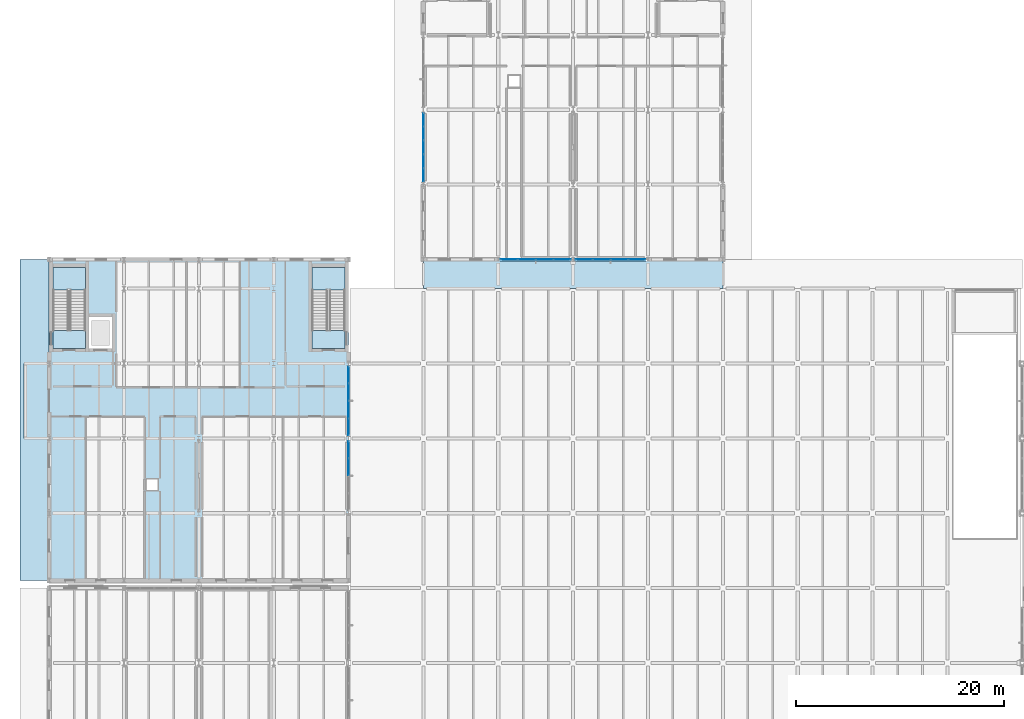
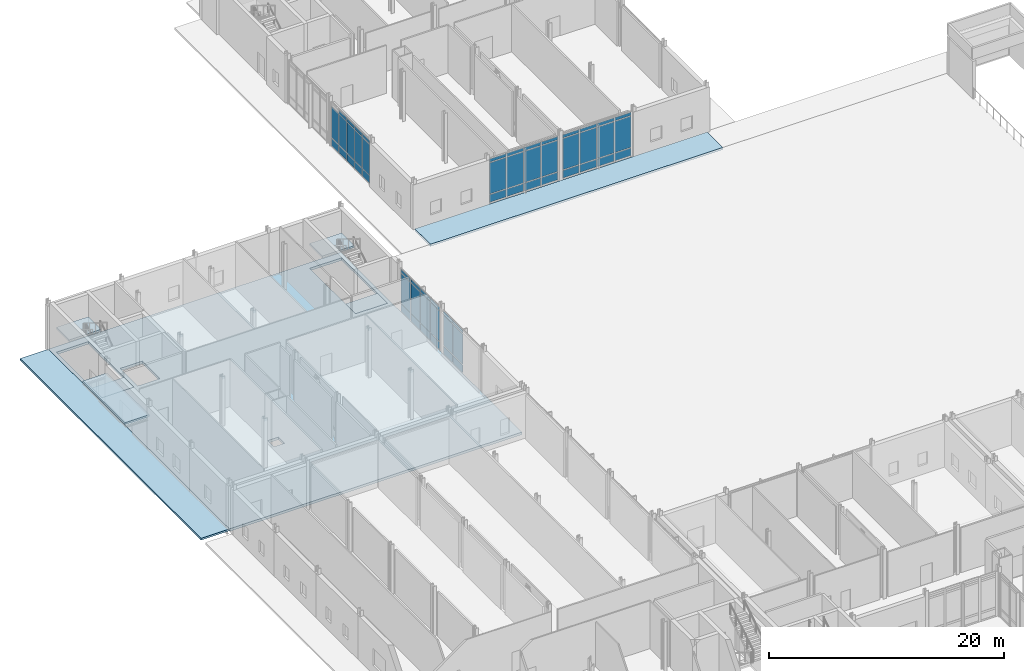
# One storey, part 45 of 89: 56 plates, 8 slabs, 7 elements without a shape of their own.
"""IFC4 building model written with IfcOpenShell, lengths in metres."""

from ifc_helpers import new_model, si_unit, direction, frame, origin, origin_2d, place, context, subcontext, project, spatial, polyline, rectangle, outline, extrude, material, layer, layer_set, type_object, element, aggregate, save


model = new_model("IFC4")

# Units and contexts
model_context = context("Model", 3, precision=1e-05, world=origin(), true_north=direction((0.0, 1.0)))
body_context = subcontext(model_context, "Body", "Model", "MODEL_VIEW")
ifc_project = project(units=[si_unit("LENGTHUNIT", "METRE"), si_unit("AREAUNIT", "SQUARE_METRE"), si_unit("VOLUMEUNIT", "CUBIC_METRE"), si_unit("PLANEANGLEUNIT", "RADIAN"), si_unit("MASSUNIT", "GRAM", prefix="KILO")], contexts=[model_context])

# Site, building, storey
site_placement = place(None, origin())
site = spatial("IfcSite", under=ifc_project, at=site_placement, CompositionType="ELEMENT")
building_placement = place(site_placement, origin())
building = spatial("IfcBuilding", under=site, at=building_placement, Name="Zarrinpeak Specialist Clinic", CompositionType="ELEMENT")
storey_placement = place(building_placement, origin())
storey = spatial("IfcBuildingStorey", under=building, at=storey_placement, Name="L00", CompositionType="ELEMENT", Elevation=0.0)

# Slab
ifc_material_1 = material(Name="Steel S355", Category="steel")
ifc_layer_1 = layer(ifc_material_1, 0.199951171875)
ifc_layer_set_1 = layer_set([ifc_layer_1], Name="Steel S355")
slab_type_1 = type_object("IfcSlabType", Name="CAN-ENT", PredefinedType="ROOF", material=ifc_layer_set_1)
slab_1_placement = place(storey_placement, frame((0.0, 0.0, 3.39990234375)))
element("IfcSlab", 1, at=slab_1_placement, inside=storey, type_object=slab_type_1, Name="V5 Ambulance Drop-Off Entrance Canopy", PredefinedType="ROOF", context=body_context, shape_type="SweptSolid", body=[
    extrude(outline(polyline([(-2.39990234375, 64.800048828125), (0.0, 64.800048828125), (0.0, 72.0), (-2.39990234375, 72.0), (-2.39990234375, 64.800048828125)])), origin(), (0.0, 0.0, 1.0), 0.2001953125),
])

# Curtain wall, plates
ifc_material_2 = material(Name="Anodised Aluminium Alloy 6063-T6", Category="aluminium")
ifc_layer_2 = layer(ifc_material_2, 0.179931640625)
ifc_layer_set_2 = layer_set([ifc_layer_2], Name="Anodised Aluminium Alloy 6063-T6")
curtain_wall_type_1 = type_object("IfcCurtainWallType", Name="CW-COURT", PredefinedType="NOTDEFINED", material=ifc_layer_set_2)
curtain_wall_1_placement = place(storey_placement, origin())
curtain_wall_1 = element("IfcCurtainWall", 2, at=curtain_wall_1_placement, inside=storey, type_object=curtain_wall_type_1, Name="L00 V6 Unitised Curtain Wall CW-L00-V6-129", PredefinedType="NOTDEFINED")
ifc_material_3 = material(Name="Double Low-E Insulated Glazing", Category="glass")
ifc_layer_3 = layer(ifc_material_3, 0.028076171875)
ifc_layer_set_3 = layer_set([ifc_layer_3], Name="Double Low-E Insulated Glazing")
plate_type_1 = type_object("IfcPlateType", Name="CWP-GLZ28", PredefinedType="CURTAIN_PANEL", material=ifc_layer_set_3)
plate_1_placement = place(storey_placement, frame((44.25, 82.0, 0.074951171875), z_axis=(0.0, 0.0, 1.0), x_axis=(1.0, 0.0, 0.0)))
plate_1 = element("IfcPlate", 3, at=plate_1_placement, type_object=plate_type_1, Name="CW-01 panel 1.1", PredefinedType="CURTAIN_PANEL", context=body_context, shape_type="SweptSolid", body=[
    extrude(rectangle(XDim=1.60009765625, YDim=0.028076171875, at=origin_2d()), origin(), (0.0, 0.0, 1.0), 0.78759765625),
])
plate_2_placement = place(storey_placement, frame((44.25, 82.0, 0.9375), z_axis=(0.0, 0.0, 1.0), x_axis=(1.0, 0.0, 0.0)))
plate_2 = element("IfcPlate", 4, at=plate_2_placement, type_object=plate_type_1, Name="CW-01 panel 1.2", PredefinedType="CURTAIN_PANEL", context=body_context, shape_type="SweptSolid", body=[
    extrude(rectangle(XDim=1.60009765625, YDim=0.028076171875, at=origin_2d()), origin(), (0.0, 0.0, 1.0), 3.239990234375),
])
plate_3_placement = place(storey_placement, frame((44.25, 82.0, 4.25244140625), z_axis=(0.0, 0.0, 1.0), x_axis=(1.0, 0.0, 0.0)))
plate_3 = element("IfcPlate", 5, at=plate_3_placement, type_object=plate_type_1, Name="CW-01 panel 1.3", PredefinedType="CURTAIN_PANEL", context=body_context, shape_type="SweptSolid", body=[
    extrude(rectangle(XDim=1.60009765625, YDim=0.028076171875, at=origin_2d()), origin(), (0.0, 0.0, 1.0), 0.33740234375),
])
plate_4_placement = place(storey_placement, frame((45.94384765625, 82.0, 0.074951171875), z_axis=(0.0, 0.0, 1.0), x_axis=(1.0, 0.0, 0.0)))
plate_4 = element("IfcPlate", 6, at=plate_4_placement, type_object=plate_type_1, Name="CW-01 panel 2.1", PredefinedType="CURTAIN_PANEL", context=body_context, shape_type="SweptSolid", body=[
    extrude(rectangle(XDim=1.637451171875, YDim=0.028076171875, at=origin_2d()), origin(), (0.0, 0.0, 1.0), 0.78759765625),
])
plate_5_placement = place(storey_placement, frame((45.94384765625, 82.0, 0.9375), z_axis=(0.0, 0.0, 1.0), x_axis=(1.0, 0.0, 0.0)))
plate_5 = element("IfcPlate", 7, at=plate_5_placement, type_object=plate_type_1, Name="CW-01 panel 2.2", PredefinedType="CURTAIN_PANEL", context=body_context, shape_type="SweptSolid", body=[
    extrude(rectangle(XDim=1.637451171875, YDim=0.028076171875, at=origin_2d()), origin(), (0.0, 0.0, 1.0), 3.239990234375),
])
plate_6_placement = place(storey_placement, frame((45.94384765625, 82.0, 4.25244140625), z_axis=(0.0, 0.0, 1.0), x_axis=(1.0, 0.0, 0.0)))
plate_6 = element("IfcPlate", 8, at=plate_6_placement, type_object=plate_type_1, Name="CW-01 panel 2.3", PredefinedType="CURTAIN_PANEL", context=body_context, shape_type="SweptSolid", body=[
    extrude(rectangle(XDim=1.637451171875, YDim=0.028076171875, at=origin_2d()), origin(), (0.0, 0.0, 1.0), 0.33740234375),
])
plate_7_placement = place(storey_placement, frame((47.65625, 82.0, 0.074951171875), z_axis=(0.0, 0.0, 1.0), x_axis=(1.0, 0.0, 0.0)))
plate_7 = element("IfcPlate", 9, at=plate_7_placement, type_object=plate_type_1, Name="CW-01 panel 3.1", PredefinedType="CURTAIN_PANEL", context=body_context, shape_type="SweptSolid", body=[
    extrude(rectangle(XDim=1.637451171875, YDim=0.028076171875, at=origin_2d()), origin(), (0.0, 0.0, 1.0), 0.78759765625),
])
plate_8_placement = place(storey_placement, frame((47.65625, 82.0, 0.9375), z_axis=(0.0, 0.0, 1.0), x_axis=(1.0, 0.0, 0.0)))
plate_8 = element("IfcPlate", 10, at=plate_8_placement, type_object=plate_type_1, Name="CW-01 panel 3.2", PredefinedType="CURTAIN_PANEL", context=body_context, shape_type="SweptSolid", body=[
    extrude(rectangle(XDim=1.637451171875, YDim=0.028076171875, at=origin_2d()), origin(), (0.0, 0.0, 1.0), 3.239990234375),
])
plate_9_placement = place(storey_placement, frame((47.65625, 82.0, 4.25244140625), z_axis=(0.0, 0.0, 1.0), x_axis=(1.0, 0.0, 0.0)))
plate_9 = element("IfcPlate", 11, at=plate_9_placement, type_object=plate_type_1, Name="CW-01 panel 3.3", PredefinedType="CURTAIN_PANEL", context=body_context, shape_type="SweptSolid", body=[
    extrude(rectangle(XDim=1.637451171875, YDim=0.028076171875, at=origin_2d()), origin(), (0.0, 0.0, 1.0), 0.33740234375),
])
plate_10_placement = place(storey_placement, frame((49.35009765625, 82.0, 0.074951171875), z_axis=(0.0, 0.0, 1.0), x_axis=(1.0, 0.0, 0.0)))
plate_10 = element("IfcPlate", 12, at=plate_10_placement, type_object=plate_type_1, Name="CW-01 panel 4.1", PredefinedType="CURTAIN_PANEL", context=body_context, shape_type="SweptSolid", body=[
    extrude(rectangle(XDim=1.60009765625, YDim=0.028076171875, at=origin_2d()), origin(), (0.0, 0.0, 1.0), 0.78759765625),
])
plate_11_placement = place(storey_placement, frame((49.35009765625, 82.0, 0.9375), z_axis=(0.0, 0.0, 1.0), x_axis=(1.0, 0.0, 0.0)))
plate_11 = element("IfcPlate", 13, at=plate_11_placement, type_object=plate_type_1, Name="CW-01 panel 4.2", PredefinedType="CURTAIN_PANEL", context=body_context, shape_type="SweptSolid", body=[
    extrude(rectangle(XDim=1.60009765625, YDim=0.028076171875, at=origin_2d()), origin(), (0.0, 0.0, 1.0), 3.239990234375),
])
plate_12_placement = place(storey_placement, frame((49.35009765625, 82.0, 4.25244140625), z_axis=(0.0, 0.0, 1.0), x_axis=(1.0, 0.0, 0.0)))
plate_12 = element("IfcPlate", 14, at=plate_12_placement, type_object=plate_type_1, Name="CW-01 panel 4.3", PredefinedType="CURTAIN_PANEL", context=body_context, shape_type="SweptSolid", body=[
    extrude(rectangle(XDim=1.60009765625, YDim=0.028076171875, at=origin_2d()), origin(), (0.0, 0.0, 1.0), 0.33740234375),
])
aggregate(curtain_wall_1, [plate_1, plate_2, plate_3, plate_4, plate_5, plate_6, plate_7, plate_8, plate_9, plate_10, plate_11, plate_12])

curtain_wall_2_placement = place(storey_placement, origin())
curtain_wall_2 = element("IfcCurtainWall", 15, at=curtain_wall_2_placement, inside=storey, type_object=curtain_wall_type_1, Name="L00 V6 Unitised Curtain Wall CW-L00-V6-130", PredefinedType="NOTDEFINED")
plate_13_placement = place(storey_placement, frame((51.449951171875, 82.0, 0.074951171875), z_axis=(0.0, 0.0, 1.0), x_axis=(1.0, 0.0, 0.0)))
plate_13 = element("IfcPlate", 16, at=plate_13_placement, type_object=plate_type_1, Name="CW-01 panel 1.1", PredefinedType="CURTAIN_PANEL", context=body_context, shape_type="SweptSolid", body=[
    extrude(rectangle(XDim=1.60009765625, YDim=0.028076171875, at=origin_2d()), origin(), (0.0, 0.0, 1.0), 0.78759765625),
])
plate_14_placement = place(storey_placement, frame((51.449951171875, 82.0, 0.9375), z_axis=(0.0, 0.0, 1.0), x_axis=(1.0, 0.0, 0.0)))
plate_14 = element("IfcPlate", 17, at=plate_14_placement, type_object=plate_type_1, Name="CW-01 panel 1.2", PredefinedType="CURTAIN_PANEL", context=body_context, shape_type="SweptSolid", body=[
    extrude(rectangle(XDim=1.60009765625, YDim=0.028076171875, at=origin_2d()), origin(), (0.0, 0.0, 1.0), 3.239990234375),
])
plate_15_placement = place(storey_placement, frame((51.449951171875, 82.0, 4.25244140625), z_axis=(0.0, 0.0, 1.0), x_axis=(1.0, 0.0, 0.0)))
plate_15 = element("IfcPlate", 18, at=plate_15_placement, type_object=plate_type_1, Name="CW-01 panel 1.3", PredefinedType="CURTAIN_PANEL", context=body_context, shape_type="SweptSolid", body=[
    extrude(rectangle(XDim=1.60009765625, YDim=0.028076171875, at=origin_2d()), origin(), (0.0, 0.0, 1.0), 0.33740234375),
])
plate_16_placement = place(storey_placement, frame((53.143798828125, 82.0, 0.074951171875), z_axis=(0.0, 0.0, 1.0), x_axis=(1.0, 0.0, 0.0)))
plate_16 = element("IfcPlate", 19, at=plate_16_placement, type_object=plate_type_1, Name="CW-01 panel 2.1", PredefinedType="CURTAIN_PANEL", context=body_context, shape_type="SweptSolid", body=[
    extrude(rectangle(XDim=1.637451171875, YDim=0.028076171875, at=origin_2d()), origin(), (0.0, 0.0, 1.0), 0.78759765625),
])
plate_17_placement = place(storey_placement, frame((53.143798828125, 82.0, 0.9375), z_axis=(0.0, 0.0, 1.0), x_axis=(1.0, 0.0, 0.0)))
plate_17 = element("IfcPlate", 20, at=plate_17_placement, type_object=plate_type_1, Name="CW-01 panel 2.2", PredefinedType="CURTAIN_PANEL", context=body_context, shape_type="SweptSolid", body=[
    extrude(rectangle(XDim=1.637451171875, YDim=0.028076171875, at=origin_2d()), origin(), (0.0, 0.0, 1.0), 3.239990234375),
])
plate_18_placement = place(storey_placement, frame((53.143798828125, 82.0, 4.25244140625), z_axis=(0.0, 0.0, 1.0), x_axis=(1.0, 0.0, 0.0)))
plate_18 = element("IfcPlate", 21, at=plate_18_placement, type_object=plate_type_1, Name="CW-01 panel 2.3", PredefinedType="CURTAIN_PANEL", context=body_context, shape_type="SweptSolid", body=[
    extrude(rectangle(XDim=1.637451171875, YDim=0.028076171875, at=origin_2d()), origin(), (0.0, 0.0, 1.0), 0.33740234375),
])
plate_19_placement = place(storey_placement, frame((54.856201171875, 82.0, 0.074951171875), z_axis=(0.0, 0.0, 1.0), x_axis=(1.0, 0.0, 0.0)))
plate_19 = element("IfcPlate", 22, at=plate_19_placement, type_object=plate_type_1, Name="CW-01 panel 3.1", PredefinedType="CURTAIN_PANEL", context=body_context, shape_type="SweptSolid", body=[
    extrude(rectangle(XDim=1.637451171875, YDim=0.028076171875, at=origin_2d()), origin(), (0.0, 0.0, 1.0), 0.78759765625),
])
plate_20_placement = place(storey_placement, frame((54.856201171875, 82.0, 0.9375), z_axis=(0.0, 0.0, 1.0), x_axis=(1.0, 0.0, 0.0)))
plate_20 = element("IfcPlate", 23, at=plate_20_placement, type_object=plate_type_1, Name="CW-01 panel 3.2", PredefinedType="CURTAIN_PANEL", context=body_context, shape_type="SweptSolid", body=[
    extrude(rectangle(XDim=1.637451171875, YDim=0.028076171875, at=origin_2d()), origin(), (0.0, 0.0, 1.0), 3.239990234375),
])
plate_21_placement = place(storey_placement, frame((54.856201171875, 82.0, 4.25244140625), z_axis=(0.0, 0.0, 1.0), x_axis=(1.0, 0.0, 0.0)))
plate_21 = element("IfcPlate", 24, at=plate_21_placement, type_object=plate_type_1, Name="CW-01 panel 3.3", PredefinedType="CURTAIN_PANEL", context=body_context, shape_type="SweptSolid", body=[
    extrude(rectangle(XDim=1.637451171875, YDim=0.028076171875, at=origin_2d()), origin(), (0.0, 0.0, 1.0), 0.33740234375),
])
plate_22_placement = place(storey_placement, frame((56.550048828125, 82.0, 0.074951171875), z_axis=(0.0, 0.0, 1.0), x_axis=(1.0, 0.0, 0.0)))
plate_22 = element("IfcPlate", 25, at=plate_22_placement, type_object=plate_type_1, Name="CW-01 panel 4.1", PredefinedType="CURTAIN_PANEL", context=body_context, shape_type="SweptSolid", body=[
    extrude(rectangle(XDim=1.60009765625, YDim=0.028076171875, at=origin_2d()), origin(), (0.0, 0.0, 1.0), 0.78759765625),
])
plate_23_placement = place(storey_placement, frame((56.550048828125, 82.0, 0.9375), z_axis=(0.0, 0.0, 1.0), x_axis=(1.0, 0.0, 0.0)))
plate_23 = element("IfcPlate", 26, at=plate_23_placement, type_object=plate_type_1, Name="CW-01 panel 4.2", PredefinedType="CURTAIN_PANEL", context=body_context, shape_type="SweptSolid", body=[
    extrude(rectangle(XDim=1.60009765625, YDim=0.028076171875, at=origin_2d()), origin(), (0.0, 0.0, 1.0), 3.239990234375),
])
plate_24_placement = place(storey_placement, frame((56.550048828125, 82.0, 4.25244140625), z_axis=(0.0, 0.0, 1.0), x_axis=(1.0, 0.0, 0.0)))
plate_24 = element("IfcPlate", 27, at=plate_24_placement, type_object=plate_type_1, Name="CW-01 panel 4.3", PredefinedType="CURTAIN_PANEL", context=body_context, shape_type="SweptSolid", body=[
    extrude(rectangle(XDim=1.60009765625, YDim=0.028076171875, at=origin_2d()), origin(), (0.0, 0.0, 1.0), 0.33740234375),
])
aggregate(curtain_wall_2, [plate_13, plate_14, plate_15, plate_16, plate_17, plate_18, plate_19, plate_20, plate_21, plate_22, plate_23, plate_24])

ifc_layer_4 = layer(ifc_material_2, 0.1650390625)
ifc_layer_set_4 = layer_set([ifc_layer_4], Name="Anodised Aluminium Alloy 6063-T6")
curtain_wall_type_2 = type_object("IfcCurtainWallType", Name="CW-CLINIC", PredefinedType="NOTDEFINED", material=ifc_layer_set_4)
curtain_wall_3_placement = place(storey_placement, origin())
curtain_wall_3 = element("IfcCurtainWall", 28, at=curtain_wall_3_placement, inside=storey, type_object=curtain_wall_type_2, Name="L00 V6 Unitised Curtain Wall CW-L00-V6-131", PredefinedType="NOTDEFINED")
plate_25_placement = place(storey_placement, frame((36.0, 95.438720703125, 0.074951171875), z_axis=(0.0, 0.0, 1.0), x_axis=(0.0, -1.0, 0.0)))
plate_25 = element("IfcPlate", 29, at=plate_25_placement, type_object=plate_type_1, Name="CW-03 panel 1.1", PredefinedType="CURTAIN_PANEL", context=body_context, shape_type="SweptSolid", body=[
    extrude(rectangle(XDim=1.222412109375, YDim=0.028076171875, at=origin_2d()), origin(), (0.0, 0.0, 1.0), 0.78759765625),
])
plate_26_placement = place(storey_placement, frame((36.0, 95.438720703125, 0.9375), z_axis=(0.0, 0.0, 1.0), x_axis=(0.0, -1.0, 0.0)))
plate_26 = element("IfcPlate", 30, at=plate_26_placement, type_object=plate_type_1, Name="CW-03 panel 1.2", PredefinedType="CURTAIN_PANEL", context=body_context, shape_type="SweptSolid", body=[
    extrude(rectangle(XDim=1.222412109375, YDim=0.028076171875, at=origin_2d()), origin(), (0.0, 0.0, 1.0), 3.169921875),
])
plate_27_placement = place(storey_placement, frame((36.0, 94.12255859375, 0.074951171875), z_axis=(0.0, 0.0, 1.0), x_axis=(0.0, -1.0, 0.0)))
plate_27 = element("IfcPlate", 31, at=plate_27_placement, type_object=plate_type_1, Name="CW-03 panel 2.1", PredefinedType="CURTAIN_PANEL", context=body_context, shape_type="SweptSolid", body=[
    extrude(rectangle(XDim=1.260009765625, YDim=0.028076171875, at=origin_2d()), origin(), (0.0, 0.0, 1.0), 0.78759765625),
])
plate_28_placement = place(storey_placement, frame((36.0, 94.12255859375, 0.9375), z_axis=(0.0, 0.0, 1.0), x_axis=(0.0, -1.0, 0.0)))
plate_28 = element("IfcPlate", 32, at=plate_28_placement, type_object=plate_type_1, Name="CW-03 panel 2.2", PredefinedType="CURTAIN_PANEL", context=body_context, shape_type="SweptSolid", body=[
    extrude(rectangle(XDim=1.260009765625, YDim=0.028076171875, at=origin_2d()), origin(), (0.0, 0.0, 1.0), 3.169921875),
])
plate_29_placement = place(storey_placement, frame((36.0, 94.12255859375, 4.1826171875), z_axis=(0.0, 0.0, 1.0), x_axis=(0.0, -1.0, 0.0)))
plate_29 = element("IfcPlate", 33, at=plate_29_placement, type_object=plate_type_1, Name="CW-03 panel 2.3", PredefinedType="CURTAIN_PANEL", context=body_context, shape_type="SweptSolid", body=[
    extrude(rectangle(XDim=1.260009765625, YDim=0.028076171875, at=origin_2d()), origin(), (0.0, 0.0, 1.0), 0.33740234375),
])
plate_30_placement = place(storey_placement, frame((36.0, 92.78759765625, 0.074951171875), z_axis=(0.0, 0.0, 1.0), x_axis=(0.0, -1.0, 0.0)))
plate_30 = element("IfcPlate", 34, at=plate_30_placement, type_object=plate_type_1, Name="CW-03 panel 3.1", PredefinedType="CURTAIN_PANEL", context=body_context, shape_type="SweptSolid", body=[
    extrude(rectangle(XDim=1.260009765625, YDim=0.028076171875, at=origin_2d()), origin(), (0.0, 0.0, 1.0), 0.78759765625),
])
plate_31_placement = place(storey_placement, frame((36.0, 92.78759765625, 0.9375), z_axis=(0.0, 0.0, 1.0), x_axis=(0.0, -1.0, 0.0)))
plate_31 = element("IfcPlate", 35, at=plate_31_placement, type_object=plate_type_1, Name="CW-03 panel 3.2", PredefinedType="CURTAIN_PANEL", context=body_context, shape_type="SweptSolid", body=[
    extrude(rectangle(XDim=1.260009765625, YDim=0.028076171875, at=origin_2d()), origin(), (0.0, 0.0, 1.0), 3.169921875),
])
plate_32_placement = place(storey_placement, frame((36.0, 92.78759765625, 4.1826171875), z_axis=(0.0, 0.0, 1.0), x_axis=(0.0, -1.0, 0.0)))
plate_32 = element("IfcPlate", 36, at=plate_32_placement, type_object=plate_type_1, Name="CW-03 panel 3.3", PredefinedType="CURTAIN_PANEL", context=body_context, shape_type="SweptSolid", body=[
    extrude(rectangle(XDim=1.260009765625, YDim=0.028076171875, at=origin_2d()), origin(), (0.0, 0.0, 1.0), 0.33740234375),
])
plate_33_placement = place(storey_placement, frame((36.0, 91.452392578125, 0.074951171875), z_axis=(0.0, 0.0, 1.0), x_axis=(0.0, -1.0, 0.0)))
plate_33 = element("IfcPlate", 37, at=plate_33_placement, type_object=plate_type_1, Name="CW-03 panel 4.1", PredefinedType="CURTAIN_PANEL", context=body_context, shape_type="SweptSolid", body=[
    extrude(rectangle(XDim=1.260009765625, YDim=0.028076171875, at=origin_2d()), origin(), (0.0, 0.0, 1.0), 0.78759765625),
])
plate_34_placement = place(storey_placement, frame((36.0, 91.452392578125, 0.9375), z_axis=(0.0, 0.0, 1.0), x_axis=(0.0, -1.0, 0.0)))
plate_34 = element("IfcPlate", 38, at=plate_34_placement, type_object=plate_type_1, Name="CW-03 panel 4.2", PredefinedType="CURTAIN_PANEL", context=body_context, shape_type="SweptSolid", body=[
    extrude(rectangle(XDim=1.260009765625, YDim=0.028076171875, at=origin_2d()), origin(), (0.0, 0.0, 1.0), 3.169921875),
])
plate_35_placement = place(storey_placement, frame((36.0, 91.452392578125, 4.1826171875), z_axis=(0.0, 0.0, 1.0), x_axis=(0.0, -1.0, 0.0)))
plate_35 = element("IfcPlate", 39, at=plate_35_placement, type_object=plate_type_1, Name="CW-03 panel 4.3", PredefinedType="CURTAIN_PANEL", context=body_context, shape_type="SweptSolid", body=[
    extrude(rectangle(XDim=1.260009765625, YDim=0.028076171875, at=origin_2d()), origin(), (0.0, 0.0, 1.0), 0.33740234375),
])
plate_36_placement = place(storey_placement, frame((36.0, 90.13623046875, 0.074951171875), z_axis=(0.0, 0.0, 1.0), x_axis=(0.0, -1.0, 0.0)))
plate_36 = element("IfcPlate", 40, at=plate_36_placement, type_object=plate_type_1, Name="CW-03 panel 5.1", PredefinedType="CURTAIN_PANEL", context=body_context, shape_type="SweptSolid", body=[
    extrude(rectangle(XDim=1.222412109375, YDim=0.028076171875, at=origin_2d()), origin(), (0.0, 0.0, 1.0), 0.78759765625),
])
plate_37_placement = place(storey_placement, frame((36.0, 90.13623046875, 0.9375), z_axis=(0.0, 0.0, 1.0), x_axis=(0.0, -1.0, 0.0)))
plate_37 = element("IfcPlate", 41, at=plate_37_placement, type_object=plate_type_1, Name="CW-03 panel 5.2", PredefinedType="CURTAIN_PANEL", context=body_context, shape_type="SweptSolid", body=[
    extrude(rectangle(XDim=1.222412109375, YDim=0.028076171875, at=origin_2d()), origin(), (0.0, 0.0, 1.0), 3.169921875),
])
plate_38_placement = place(storey_placement, frame((36.0, 90.13623046875, 4.1826171875), z_axis=(0.0, 0.0, 1.0), x_axis=(0.0, -1.0, 0.0)))
plate_38 = element("IfcPlate", 42, at=plate_38_placement, type_object=plate_type_1, Name="CW-03 panel 5.3", PredefinedType="CURTAIN_PANEL", context=body_context, shape_type="SweptSolid", body=[
    extrude(rectangle(XDim=1.222412109375, YDim=0.028076171875, at=origin_2d()), origin(), (0.0, 0.0, 1.0), 0.33740234375),
])
aggregate(curtain_wall_3, [plate_25, plate_26, plate_27, plate_28, plate_29, plate_30, plate_31, plate_32, plate_33, plate_34, plate_35, plate_36, plate_37, plate_38])

curtain_wall_4_placement = place(storey_placement, origin())
curtain_wall_4 = element("IfcCurtainWall", 43, at=curtain_wall_4_placement, inside=storey, type_object=curtain_wall_type_1, Name="L00 V5 Unitised Curtain Wall CW-L00-V5-121", PredefinedType="NOTDEFINED")
ifc_material_4 = material(Name="Triple Acoustic Low-E Glazing", Category="glass")
ifc_layer_5 = layer(ifc_material_4, 0.035888671875)
ifc_layer_set_5 = layer_set([ifc_layer_5], Name="Triple Acoustic Low-E Glazing")
plate_type_2 = type_object("IfcPlateType", Name="CWP-GLZ36", PredefinedType="CURTAIN_PANEL", material=ifc_layer_set_5)
plate_39_placement = place(storey_placement, frame((28.800048828125, 62.043701171875, 0.074951171875), z_axis=(0.0, 0.0, 1.0), x_axis=(0.0, 1.0, 0.0)))
plate_39 = element("IfcPlate", 44, at=plate_39_placement, type_object=plate_type_2, Name="CW-01 panel 3.1", PredefinedType="CURTAIN_PANEL", context=body_context, shape_type="SweptSolid", body=[
    extrude(rectangle(XDim=1.612548828125, YDim=0.035888671875, at=origin_2d()), origin(), (0.0, 0.0, 1.0), 0.78759765625),
])
plate_40_placement = place(storey_placement, frame((28.800048828125, 62.043701171875, 0.9375), z_axis=(0.0, 0.0, 1.0), x_axis=(0.0, 1.0, 0.0)))
plate_40 = element("IfcPlate", 45, at=plate_40_placement, type_object=plate_type_2, Name="CW-01 panel 3.2", PredefinedType="CURTAIN_PANEL", context=body_context, shape_type="SweptSolid", body=[
    extrude(rectangle(XDim=1.612548828125, YDim=0.035888671875, at=origin_2d()), origin(), (0.0, 0.0, 1.0), 3.139892578125),
])
plate_41_placement = place(storey_placement, frame((28.800048828125, 62.043701171875, 4.152587890625), z_axis=(0.0, 0.0, 1.0), x_axis=(0.0, 1.0, 0.0)))
plate_41 = element("IfcPlate", 46, at=plate_41_placement, type_object=plate_type_2, Name="CW-01 panel 3.3", PredefinedType="CURTAIN_PANEL", context=body_context, shape_type="SweptSolid", body=[
    extrude(rectangle(XDim=1.612548828125, YDim=0.035888671875, at=origin_2d()), origin(), (0.0, 0.0, 1.0), 0.33740234375),
])
plate_42_placement = place(storey_placement, frame((28.800048828125, 63.71240234375, 0.074951171875), z_axis=(0.0, 0.0, 1.0), x_axis=(0.0, 1.0, 0.0)))
plate_42 = element("IfcPlate", 47, at=plate_42_placement, type_object=plate_type_2, Name="CW-01 panel 4.1", PredefinedType="CURTAIN_PANEL", context=body_context, shape_type="SweptSolid", body=[
    extrude(rectangle(XDim=1.574951171875, YDim=0.035888671875, at=origin_2d()), origin(), (0.0, 0.0, 1.0), 0.78759765625),
])
plate_43_placement = place(storey_placement, frame((28.800048828125, 63.71240234375, 0.9375), z_axis=(0.0, 0.0, 1.0), x_axis=(0.0, 1.0, 0.0)))
plate_43 = element("IfcPlate", 48, at=plate_43_placement, type_object=plate_type_2, Name="CW-01 panel 4.2", PredefinedType="CURTAIN_PANEL", context=body_context, shape_type="SweptSolid", body=[
    extrude(rectangle(XDim=1.574951171875, YDim=0.035888671875, at=origin_2d()), origin(), (0.0, 0.0, 1.0), 3.139892578125),
])
plate_44_placement = place(storey_placement, frame((28.800048828125, 63.71240234375, 4.152587890625), z_axis=(0.0, 0.0, 1.0), x_axis=(0.0, 1.0, 0.0)))
plate_44 = element("IfcPlate", 49, at=plate_44_placement, type_object=plate_type_2, Name="CW-01 panel 4.3", PredefinedType="CURTAIN_PANEL", context=body_context, shape_type="SweptSolid", body=[
    extrude(rectangle(XDim=1.574951171875, YDim=0.035888671875, at=origin_2d()), origin(), (0.0, 0.0, 1.0), 0.33740234375),
])
aggregate(curtain_wall_4, [plate_39, plate_40, plate_41, plate_42, plate_43, plate_44])

curtain_wall_5_placement = place(storey_placement, origin())
curtain_wall_5 = element("IfcCurtainWall", 50, at=curtain_wall_5_placement, inside=storey, type_object=curtain_wall_type_1, Name="L00 V5 Unitised Curtain Wall CW-L00-V5-122", PredefinedType="NOTDEFINED")
plate_45_placement = place(storey_placement, frame((28.800048828125, 65.887451171875, 0.074951171875), z_axis=(0.0, 0.0, 1.0), x_axis=(0.0, 1.0, 0.0)))
plate_45 = element("IfcPlate", 51, at=plate_45_placement, type_object=plate_type_2, Name="CW-01 panel 1.1", PredefinedType="CURTAIN_PANEL", context=body_context, shape_type="SweptSolid", body=[
    extrude(rectangle(XDim=1.574951171875, YDim=0.035888671875, at=origin_2d()), origin(), (0.0, 0.0, 1.0), 0.78759765625),
])
plate_46_placement = place(storey_placement, frame((28.800048828125, 65.887451171875, 0.9375), z_axis=(0.0, 0.0, 1.0), x_axis=(0.0, 1.0, 0.0)))
plate_46 = element("IfcPlate", 52, at=plate_46_placement, type_object=plate_type_2, Name="CW-01 panel 1.2", PredefinedType="CURTAIN_PANEL", context=body_context, shape_type="SweptSolid", body=[
    extrude(rectangle(XDim=1.574951171875, YDim=0.035888671875, at=origin_2d()), origin(), (0.0, 0.0, 1.0), 3.139892578125),
])
plate_47_placement = place(storey_placement, frame((28.800048828125, 65.887451171875, 4.152587890625), z_axis=(0.0, 0.0, 1.0), x_axis=(0.0, 1.0, 0.0)))
plate_47 = element("IfcPlate", 53, at=plate_47_placement, type_object=plate_type_2, Name="CW-01 panel 1.3", PredefinedType="CURTAIN_PANEL", context=body_context, shape_type="SweptSolid", body=[
    extrude(rectangle(XDim=1.574951171875, YDim=0.035888671875, at=origin_2d()), origin(), (0.0, 0.0, 1.0), 0.33740234375),
])
plate_48_placement = place(storey_placement, frame((28.800048828125, 67.55615234375, 0.074951171875), z_axis=(0.0, 0.0, 1.0), x_axis=(0.0, 1.0, 0.0)))
plate_48 = element("IfcPlate", 54, at=plate_48_placement, type_object=plate_type_2, Name="CW-01 panel 2.1", PredefinedType="CURTAIN_PANEL", context=body_context, shape_type="SweptSolid", body=[
    extrude(rectangle(XDim=1.612548828125, YDim=0.035888671875, at=origin_2d()), origin(), (0.0, 0.0, 1.0), 0.78759765625),
])
plate_49_placement = place(storey_placement, frame((28.800048828125, 67.55615234375, 0.9375), z_axis=(0.0, 0.0, 1.0), x_axis=(0.0, 1.0, 0.0)))
plate_49 = element("IfcPlate", 55, at=plate_49_placement, type_object=plate_type_2, Name="CW-01 panel 2.2", PredefinedType="CURTAIN_PANEL", context=body_context, shape_type="SweptSolid", body=[
    extrude(rectangle(XDim=1.612548828125, YDim=0.035888671875, at=origin_2d()), origin(), (0.0, 0.0, 1.0), 3.139892578125),
])
plate_50_placement = place(storey_placement, frame((28.800048828125, 67.55615234375, 4.152587890625), z_axis=(0.0, 0.0, 1.0), x_axis=(0.0, 1.0, 0.0)))
plate_50 = element("IfcPlate", 56, at=plate_50_placement, type_object=plate_type_2, Name="CW-01 panel 2.3", PredefinedType="CURTAIN_PANEL", context=body_context, shape_type="SweptSolid", body=[
    extrude(rectangle(XDim=1.612548828125, YDim=0.035888671875, at=origin_2d()), origin(), (0.0, 0.0, 1.0), 0.33740234375),
])
plate_51_placement = place(storey_placement, frame((28.800048828125, 69.24365234375, 0.074951171875), z_axis=(0.0, 0.0, 1.0), x_axis=(0.0, 1.0, 0.0)))
plate_51 = element("IfcPlate", 57, at=plate_51_placement, type_object=plate_type_2, Name="CW-01 panel 3.1", PredefinedType="CURTAIN_PANEL", context=body_context, shape_type="SweptSolid", body=[
    extrude(rectangle(XDim=1.612548828125, YDim=0.035888671875, at=origin_2d()), origin(), (0.0, 0.0, 1.0), 0.78759765625),
])
plate_52_placement = place(storey_placement, frame((28.800048828125, 69.24365234375, 0.9375), z_axis=(0.0, 0.0, 1.0), x_axis=(0.0, 1.0, 0.0)))
plate_52 = element("IfcPlate", 58, at=plate_52_placement, type_object=plate_type_2, Name="CW-01 panel 3.2", PredefinedType="CURTAIN_PANEL", context=body_context, shape_type="SweptSolid", body=[
    extrude(rectangle(XDim=1.612548828125, YDim=0.035888671875, at=origin_2d()), origin(), (0.0, 0.0, 1.0), 3.139892578125),
])
plate_53_placement = place(storey_placement, frame((28.800048828125, 69.24365234375, 4.152587890625), z_axis=(0.0, 0.0, 1.0), x_axis=(0.0, 1.0, 0.0)))
plate_53 = element("IfcPlate", 59, at=plate_53_placement, type_object=plate_type_2, Name="CW-01 panel 3.3", PredefinedType="CURTAIN_PANEL", context=body_context, shape_type="SweptSolid", body=[
    extrude(rectangle(XDim=1.612548828125, YDim=0.035888671875, at=origin_2d()), origin(), (0.0, 0.0, 1.0), 0.33740234375),
])
plate_54_placement = place(storey_placement, frame((28.800048828125, 70.91259765625, 0.074951171875), z_axis=(0.0, 0.0, 1.0), x_axis=(0.0, 1.0, 0.0)))
plate_54 = element("IfcPlate", 60, at=plate_54_placement, type_object=plate_type_2, Name="CW-01 panel 4.1", PredefinedType="CURTAIN_PANEL", context=body_context, shape_type="SweptSolid", body=[
    extrude(rectangle(XDim=1.574951171875, YDim=0.035888671875, at=origin_2d()), origin(), (0.0, 0.0, 1.0), 0.78759765625),
])
plate_55_placement = place(storey_placement, frame((28.800048828125, 70.91259765625, 0.9375), z_axis=(0.0, 0.0, 1.0), x_axis=(0.0, 1.0, 0.0)))
plate_55 = element("IfcPlate", 61, at=plate_55_placement, type_object=plate_type_2, Name="CW-01 panel 4.2", PredefinedType="CURTAIN_PANEL", context=body_context, shape_type="SweptSolid", body=[
    extrude(rectangle(XDim=1.574951171875, YDim=0.035888671875, at=origin_2d()), origin(), (0.0, 0.0, 1.0), 3.139892578125),
])
plate_56_placement = place(storey_placement, frame((28.800048828125, 70.91259765625, 4.152587890625), z_axis=(0.0, 0.0, 1.0), x_axis=(0.0, 1.0, 0.0)))
plate_56 = element("IfcPlate", 62, at=plate_56_placement, type_object=plate_type_2, Name="CW-01 panel 4.3", PredefinedType="CURTAIN_PANEL", context=body_context, shape_type="SweptSolid", body=[
    extrude(rectangle(XDim=1.574951171875, YDim=0.035888671875, at=origin_2d()), origin(), (0.0, 0.0, 1.0), 0.33740234375),
])
aggregate(curtain_wall_5, [plate_45, plate_46, plate_47, plate_48, plate_49, plate_50, plate_51, plate_52, plate_53, plate_54, plate_55, plate_56])

# Slabs
ifc_material_5 = material(Name="Concrete C35/45", Category="concrete")
ifc_layer_6 = layer(ifc_material_5, 0.260009765625)
ifc_layer_set_6 = layer_set([ifc_layer_6], Name="Concrete C35/45")
slab_type_2 = type_object("IfcSlabType", Name="SL-FLR260", PredefinedType="FLOOR", material=ifc_layer_set_6)
slab_2_placement = place(storey_placement, frame((0.0, 0.0, -0.260009765625)))
element("IfcSlab", 63, at=slab_2_placement, inside=storey, type_object=slab_type_2, Name="L00 Suspended Clinical Floor Slab V5", PredefinedType="FLOOR", context=body_context, shape_type="SweptSolid", body=[
    extrude(outline(polyline([(0.0, 51.1201171875), (28.800048828125, 51.1201171875), (28.800048828125, 82.0), (0.0, 82.0), (0.0, 51.1201171875)]), holes=[polyline([(0.35009765625, 73.449951171875), (3.5, 73.449951171875), (3.5, 81.25), (0.35009765625, 81.25), (0.35009765625, 73.449951171875)]), polyline([(3.85009765625, 73.449951171875), (6.050048828125, 73.449951171875), (6.050048828125, 76.449951171875), (3.85009765625, 76.449951171875), (3.85009765625, 73.449951171875)]), polyline([(25.300048828125, 73.449951171875), (28.449951171875, 73.449951171875), (28.449951171875, 81.25), (25.300048828125, 81.25), (25.300048828125, 73.449951171875)]), polyline([(9.39990234375, 59.800048828125), (10.449951171875, 59.800048828125), (10.449951171875, 60.85009765625), (9.39990234375, 60.85009765625), (9.39990234375, 59.800048828125)])]), origin(), (0.0, 0.0, 1.0), 0.260009765625),
])
slab_3_placement = place(storey_placement, frame((0.0, 0.0, -0.260009765625)))
element("IfcSlab", 64, at=slab_3_placement, inside=storey, type_object=slab_type_2, Name="L00 Core C09 Stairwell Floor Landing Slab", PredefinedType="FLOOR", context=body_context, shape_type="SweptSolid", body=[
    extrude(outline(polyline([(0.35009765625, 73.449951171875), (3.5, 73.449951171875), (3.5, 75.14990234375), (0.35009765625, 75.14990234375), (0.35009765625, 73.449951171875)])), origin(), (0.0, 0.0, 1.0), 0.260009765625),
])
slab_4_placement = place(storey_placement, frame((0.0, 0.0, -0.260009765625)))
element("IfcSlab", 65, at=slab_4_placement, inside=storey, type_object=slab_type_2, Name="L00 Core C10 Stairwell Floor Landing Slab", PredefinedType="FLOOR", context=body_context, shape_type="SweptSolid", body=[
    extrude(outline(polyline([(25.300048828125, 73.449951171875), (28.449951171875, 73.449951171875), (28.449951171875, 75.14990234375), (25.300048828125, 75.14990234375), (25.300048828125, 73.449951171875)])), origin(), (0.0, 0.0, 1.0), 0.260009765625),
])

# Stair, slab
stair_type = type_object("IfcStairType", Name="ST-DOG", PredefinedType="HALF_TURN_STAIR", material=ifc_material_5)
stair_1_placement = place(storey_placement, origin())
stair_1 = element("IfcStair", 66, at=stair_1_placement, inside=storey, type_object=stair_type, Name="L00 Protected Exit Stair ST-09", PredefinedType="HALF_TURN_STAIR")
ifc_layer_7 = layer(ifc_material_5, 0.199951171875)
ifc_layer_set_7 = layer_set([ifc_layer_7], Name="Concrete C35/45")
slab_type_3 = type_object("IfcSlabType", Name="SL-LAND200", PredefinedType="LANDING", material=ifc_layer_set_7)
slab_5_placement = place(storey_placement, frame((0.0, 0.0, 2.39990234375)))
slab_5 = element("IfcSlab", 67, at=slab_5_placement, type_object=slab_type_3, Name="ST-09 landing 1", PredefinedType="LANDING", context=body_context, shape_type="SweptSolid", body=[
    extrude(outline(polyline([(3.5, 79.070068359375), (3.5, 81.25), (0.35009765625, 81.25), (0.35009765625, 79.070068359375), (3.5, 79.070068359375)])), origin(), (0.0, 0.0, 1.0), 0.2001953125),
])
aggregate(stair_1, [slab_5])

stair_2_placement = place(storey_placement, origin())
stair_2 = element("IfcStair", 68, at=stair_2_placement, inside=storey, type_object=stair_type, Name="L00 Protected Exit Stair ST-10", PredefinedType="HALF_TURN_STAIR")
slab_6_placement = place(storey_placement, frame((0.0, 0.0, 2.39990234375)))
slab_6 = element("IfcSlab", 69, at=slab_6_placement, type_object=slab_type_3, Name="ST-10 landing 1", PredefinedType="LANDING", context=body_context, shape_type="SweptSolid", body=[
    extrude(outline(polyline([(28.449951171875, 79.070068359375), (28.449951171875, 81.25), (25.300048828125, 81.25), (25.300048828125, 79.070068359375), (28.449951171875, 79.070068359375)])), origin(), (0.0, 0.0, 1.0), 0.2001953125),
])
aggregate(stair_2, [slab_6])

# Slabs
ifc_layer_8 = layer(ifc_material_5, 0.195068359375)
ifc_layer_set_8 = layer_set([ifc_layer_8], Name="Concrete C35/45")
slab_type_4 = type_object("IfcSlabType", Name="SL-TER195", PredefinedType="FLOOR", material=ifc_layer_set_8)
slab_7_placement = place(storey_placement, frame((0.0, 0.0, -0.195068359375)))
element("IfcSlab", 70, at=slab_7_placement, inside=storey, type_object=slab_type_4, Name="L00 V5 West Ambulance Promenade Apron Slab", PredefinedType="FLOOR", context=body_context, shape_type="SweptSolid", body=[
    extrude(outline(polyline([(-2.800048828125, 51.1201171875), (0.0, 51.1201171875), (0.0, 82.0), (-2.800048828125, 82.0), (-2.800048828125, 51.1201171875)])), origin(), (0.0, 0.0, 1.0), 0.195068359375),
])
ifc_layer_9 = layer(ifc_material_5, 0.219970703125)
ifc_layer_set_9 = layer_set([ifc_layer_9], Name="Concrete C35/45")
slab_type_5 = type_object("IfcSlabType", Name="SL-TER220", PredefinedType="FLOOR", material=ifc_layer_set_9)
slab_8_placement = place(storey_placement, frame((0.0, 0.0, -0.219970703125)))
element("IfcSlab", 71, at=slab_8_placement, inside=storey, type_object=slab_type_5, Name="L00 Seismic Joint Promenade Deck Slab B01-SJ5A", PredefinedType="FLOOR", context=body_context, shape_type="SweptSolid", body=[
    extrude(outline(polyline([(36.0, 79.199951171875), (64.800048828125, 79.199951171875), (64.800048828125, 81.860107421875), (36.0, 81.860107421875), (36.0, 79.199951171875)])), origin(), (0.0, 0.0, 1.0), 0.219970703125),
])

save(model, "model.ifc")
